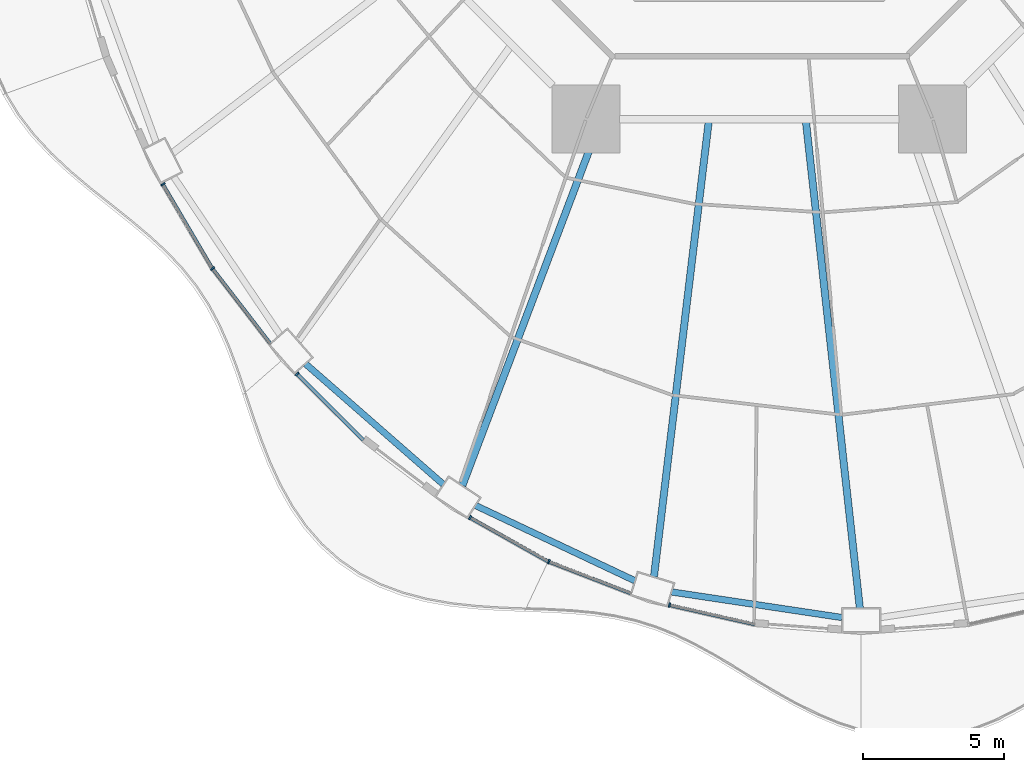
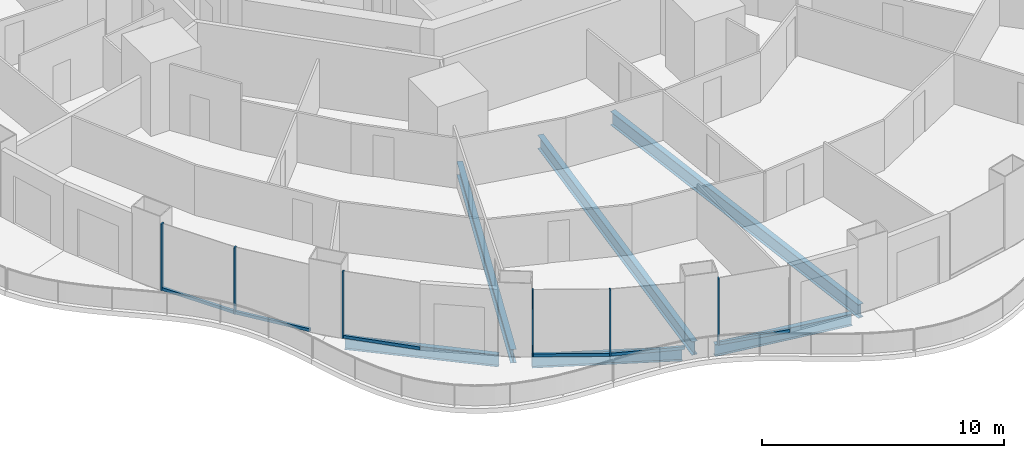
# One storey, part 2 of 22: 12 members, 6 beams, 6 elements without a shape of their own.
"""IFC4 building model written with IfcOpenShell, lengths in metres."""

from ifc_helpers import new_model, si_unit, direction, frame, origin, origin_2d, place, context, subcontext, project, spatial, rectangle, i_section, extrude, material, layer, layer_set, material_profile, profile_set, type_object, element, aggregate, save


model = new_model("IFC4")

# Units and contexts
model_context = context("Model", 3, precision=1e-05, world=origin(), true_north=direction((0.0, 1.0)))
body_context = subcontext(model_context, "Body", "Model", "MODEL_VIEW")
ifc_project = project(units=[si_unit("LENGTHUNIT", "METRE"), si_unit("AREAUNIT", "SQUARE_METRE"), si_unit("VOLUMEUNIT", "CUBIC_METRE"), si_unit("PLANEANGLEUNIT", "RADIAN"), si_unit("MASSUNIT", "GRAM", prefix="KILO")], contexts=[model_context])

# Site, building, storey
site_placement = place(None, origin())
site = spatial("IfcSite", under=ifc_project, at=site_placement, CompositionType="ELEMENT")
building_placement = place(site_placement, origin())
building = spatial("IfcBuilding", under=site, at=building_placement, Name="Nagisa Residences", CompositionType="ELEMENT")
storey_placement = place(building_placement, frame((0.0, 0.0, 64.0)))
storey = spatial("IfcBuildingStorey", under=building, at=storey_placement, Name="L15", CompositionType="ELEMENT", Elevation=64.0)

# Curtain wall, member
ifc_material_1 = material(Name="Concrete-coloured aluminium curtain wall system", Category="concrete")
ifc_layer = layer(ifc_material_1, 0.159912109375)
ifc_layer_set = layer_set([ifc_layer], Name="CW1 CURTAIN WALL")
curtain_wall_type = type_object("IfcCurtainWallType", Name="CW1 CURTAIN WALL", PredefinedType="NOTDEFINED", material=ifc_layer_set)
curtain_wall_1_placement = place(storey_placement, origin())
curtain_wall_1 = element("IfcCurtainWall", 1, at=curtain_wall_1_placement, inside=storey, type_object=curtain_wall_type, Name="cw:CW1:L15:28", PredefinedType="NOTDEFINED")
ifc_material_2 = material(Name="Concrete-coloured aluminium", Category="concrete")
ifc_material_profile_1 = material_profile(ifc_material_2, rectangle(XDim=0.159912109375, YDim=0.06005859375, at=origin_2d()), Name="CW1 MULLION 160x60")
ifc_profile_set_1 = profile_set([ifc_material_profile_1], Name="Concrete-coloured aluminium")
member_type_1 = type_object("IfcMemberType", Name="CW1 MULLION 160x60", PredefinedType="MULLION", material=ifc_profile_set_1)
member_1_placement = place(storey_placement, frame((-21.076171875, -17.089111328125, 0.0), z_axis=(0.0, 0.0, 1.0), x_axis=(0.862328898214, 0.506348567002, 0.0)))
member_1 = element("IfcMember", 2, at=member_1_placement, type_object=member_type_1, Name="CW1 mullion", PredefinedType="MULLION", context=body_context, shape_type="SweptSolid", body=[
    extrude(rectangle(XDim=0.159912109375, YDim=0.06005859375, at=origin_2d()), origin(), (0.0, 0.0, 1.0), 3.35009765625),
])

curtain_wall_2_placement = place(storey_placement, origin())
curtain_wall_2 = element("IfcCurtainWall", 3, at=curtain_wall_2_placement, inside=storey, type_object=curtain_wall_type, Name="cw:CW1:L15:29", PredefinedType="NOTDEFINED")
member_2_placement = place(storey_placement, frame((-19.32568359375, -20.06396484375, 0.0), z_axis=(0.0, 0.0, 1.0), x_axis=(0.792070340816, 0.610429828235, 0.0)))
member_2 = element("IfcMember", 4, at=member_2_placement, type_object=member_type_1, Name="CW1 mullion", PredefinedType="MULLION", context=body_context, shape_type="SweptSolid", body=[
    extrude(rectangle(XDim=0.159912109375, YDim=0.06005859375, at=origin_2d()), origin(), (0.0, 0.0, 1.0), 3.35009765625),
])

curtain_wall_3_placement = place(storey_placement, origin())
curtain_wall_3 = element("IfcCurtainWall", 5, at=curtain_wall_3_placement, inside=storey, type_object=curtain_wall_type, Name="cw:CW1:L15:30", PredefinedType="NOTDEFINED")
member_3_placement = place(storey_placement, frame((-16.332763671875, -23.79345703125, 0.0), z_axis=(0.0, 0.0, 1.0), x_axis=(0.706376885714, 0.707835924016, 0.0)))
member_3 = element("IfcMember", 6, at=member_3_placement, type_object=member_type_1, Name="CW1 mullion", PredefinedType="MULLION", context=body_context, shape_type="SweptSolid", body=[
    extrude(rectangle(XDim=0.159912109375, YDim=0.06005859375, at=origin_2d()), origin(), (0.0, 0.0, 1.0), 3.35009765625),
])

curtain_wall_4_placement = place(storey_placement, origin())
curtain_wall_4 = element("IfcCurtainWall", 7, at=curtain_wall_4_placement, inside=storey, type_object=curtain_wall_type, Name="cw:CW1:L15:32", PredefinedType="NOTDEFINED")
member_4_placement = place(storey_placement, frame((-10.22412109375, -28.8662109375, 0.0), z_axis=(0.0, 0.0, 1.0), x_axis=(0.489376918501, 0.872072377523, 0.0)))
member_4 = element("IfcMember", 8, at=member_4_placement, type_object=member_type_1, Name="CW1 mullion", PredefinedType="MULLION", context=body_context, shape_type="SweptSolid", body=[
    extrude(rectangle(XDim=0.159912109375, YDim=0.06005859375, at=origin_2d()), origin(), (0.0, 0.0, 1.0), 3.35009765625),
])

curtain_wall_5_placement = place(storey_placement, origin())
curtain_wall_5 = element("IfcCurtainWall", 9, at=curtain_wall_5_placement, inside=storey, type_object=curtain_wall_type, Name="cw:CW1:L15:33", PredefinedType="NOTDEFINED")
member_5_placement = place(storey_placement, frame((-7.44091796875, -30.42431640625, 0.0), z_axis=(0.0, 0.0, 1.0), x_axis=(0.360327770268, 0.932825759707, 0.0)))
member_5 = element("IfcMember", 10, at=member_5_placement, type_object=member_type_1, Name="CW1 mullion", PredefinedType="MULLION", context=body_context, shape_type="SweptSolid", body=[
    extrude(rectangle(XDim=0.159912109375, YDim=0.06005859375, at=origin_2d()), origin(), (0.0, 0.0, 1.0), 3.35009765625),
])

curtain_wall_6_placement = place(storey_placement, origin())
curtain_wall_6 = element("IfcCurtainWall", 11, at=curtain_wall_6_placement, inside=storey, type_object=curtain_wall_type, Name="cw:CW1:L15:34", PredefinedType="NOTDEFINED")
member_6_placement = place(storey_placement, frame((-3.176025390625, -31.958740234375, 0.0), z_axis=(0.0, 0.0, 1.0), x_axis=(0.2207639201, 0.975327274089, 0.0)))
member_6 = element("IfcMember", 12, at=member_6_placement, type_object=member_type_1, Name="CW1 mullion", PredefinedType="MULLION", context=body_context, shape_type="SweptSolid", body=[
    extrude(rectangle(XDim=0.159912109375, YDim=0.06005859375, at=origin_2d()), origin(), (0.0, 0.0, 1.0), 3.35009765625),
])

# Member
ifc_material_3 = material(Name="Concrete-coloured aluminium", Category="concrete")
ifc_material_profile_2 = material_profile(ifc_material_3, rectangle(XDim=0.1201171875, YDim=0.14990234375, at=origin_2d()), Name="CW1 TRANSOM 120x150")
ifc_profile_set_2 = profile_set([ifc_material_profile_2], Name="Concrete-coloured aluminium")
member_type_2 = type_object("IfcMemberType", Name="CW1 TRANSOM 120x150", PredefinedType="USERDEFINED", material=ifc_profile_set_2)
member_7_placement = place(storey_placement, frame((-21.09130859375, -17.063232421875, 0.074951171875), z_axis=(0.506341951316, -0.862332782827, 0.0), x_axis=(0.862332782827, 0.506341951316, 0.0)))
member_7 = element("IfcMember", 13, at=member_7_placement, type_object=member_type_2, Name="CW1 transom", ObjectType="TRANSOM", PredefinedType="USERDEFINED", context=body_context, shape_type="SweptSolid", body=[
    extrude(rectangle(XDim=0.1201171875, YDim=0.14990234375, at=origin_2d()), origin(), (0.0, 0.0, 1.0), 3.4619140625),
])

aggregate(curtain_wall_1, [member_1, member_7])

member_8_placement = place(storey_placement, frame((-19.343994140625, -20.040283203125, 0.074951171875), z_axis=(0.610457147657, -0.792049285635, 0.0), x_axis=(0.792049285635, 0.610457147657, 0.0)))
member_8 = element("IfcMember", 14, at=member_8_placement, type_object=member_type_2, Name="CW1 transom", ObjectType="TRANSOM", PredefinedType="USERDEFINED", context=body_context, shape_type="SweptSolid", body=[
    extrude(rectangle(XDim=0.1201171875, YDim=0.14990234375, at=origin_2d()), origin(), (0.0, 0.0, 1.0), 3.3974609375),
])

aggregate(curtain_wall_2, [member_2, member_8])

member_9_placement = place(storey_placement, frame((-16.35400390625, -23.7724609375, 0.074951171875), z_axis=(0.707839761606, -0.706373040177, 0.0), x_axis=(0.706373040177, 0.707839761606, 0.0)))
member_9 = element("IfcMember", 15, at=member_9_placement, type_object=member_type_2, Name="CW1 transom", ObjectType="TRANSOM", PredefinedType="USERDEFINED", context=body_context, shape_type="SweptSolid", body=[
    extrude(rectangle(XDim=0.1201171875, YDim=0.14990234375, at=origin_2d()), origin(), (0.0, 0.0, 1.0), 3.3291015625),
])

aggregate(curtain_wall_3, [member_3, member_9])

member_10_placement = place(storey_placement, frame((-10.25048828125, -28.8515625, 0.074951171875), z_axis=(0.872070011948, -0.489381133946, 0.0), x_axis=(0.489381133946, 0.872070011948, 0.0)))
member_10 = element("IfcMember", 16, at=member_10_placement, type_object=member_type_2, Name="CW1 transom", ObjectType="TRANSOM", PredefinedType="USERDEFINED", context=body_context, shape_type="SweptSolid", body=[
    extrude(rectangle(XDim=0.1201171875, YDim=0.14990234375, at=origin_2d()), origin(), (0.0, 0.0, 1.0), 3.201171875),
])

aggregate(curtain_wall_4, [member_4, member_10])

member_11_placement = place(storey_placement, frame((-7.468994140625, -30.413330078125, 0.074951171875), z_axis=(0.932835426425, -0.360302743822, 0.0), x_axis=(0.360302743822, 0.932835426425, 0.0)))
member_11 = element("IfcMember", 17, at=member_11_placement, type_object=member_type_2, Name="CW1 transom", ObjectType="TRANSOM", PredefinedType="USERDEFINED", context=body_context, shape_type="SweptSolid", body=[
    extrude(rectangle(XDim=0.1201171875, YDim=0.14990234375, at=origin_2d()), origin(), (0.0, 0.0, 1.0), 3.15087890625),
])

aggregate(curtain_wall_5, [member_5, member_11])

member_12_placement = place(storey_placement, frame((-3.205322265625, -31.9521484375, 0.074951171875), z_axis=(0.97533495413, -0.220729987208, 0.0), x_axis=(0.220729987208, 0.97533495413, 0.0)))
member_12 = element("IfcMember", 18, at=member_12_placement, type_object=member_type_2, Name="CW1 transom", ObjectType="TRANSOM", PredefinedType="USERDEFINED", context=body_context, shape_type="SweptSolid", body=[
    extrude(rectangle(XDim=0.1201171875, YDim=0.14990234375, at=origin_2d()), origin(), (0.0, 0.0, 1.0), 3.11474609375),
])

aggregate(curtain_wall_6, [member_6, member_12])

# Beams
ifc_material_4 = material(Name="Steel ASTM A572 Gr 50", Category="steel")
ifc_material_profile_3 = material_profile(ifc_material_4, i_section(OverallWidth=0.22802734375, OverallDepth=0.60302734375, WebThickness=0.010498046875, FlangeThickness=0.014892578125, at=origin_2d()), Name="W610x101")
ifc_profile_set_3 = profile_set([ifc_material_profile_3], Name="Steel ASTM A572 Gr 50")
beam_type_1 = type_object("IfcBeamType", Name="Perimeter ring beam W610x101", PredefinedType="BEAM", material=ifc_profile_set_3)
beam_1_placement = place(storey_placement, frame((-16.0361328125, -23.432861328125, -0.5615234375), z_axis=(0.752574357292, -0.658507279191, 0.0), x_axis=(0.658507279191, 0.752574357292, 0.0)))
element("IfcBeam", 19, at=beam_1_placement, inside=storey, type_object=beam_type_1, Name="beam:L15:pb16", PredefinedType="BEAM", context=body_context, shape_type="SweptSolid", body=[
    extrude(i_section(OverallWidth=0.22802734375, OverallDepth=0.60302734375, WebThickness=0.010498046875, FlangeThickness=0.014892578125, at=origin_2d()), origin(), (0.0, 0.0, 1.0), 6.47021484375),
])
beam_2_placement = place(storey_placement, frame((-10.02880859375, -28.439208984375, -0.5615234375), z_axis=(0.904208275867, -0.427091786216, 0.0), x_axis=(0.427091786216, 0.904208275867, 0.0)))
element("IfcBeam", 20, at=beam_2_placement, inside=storey, type_object=beam_type_1, Name="beam:L15:pb17", PredefinedType="BEAM", context=body_context, shape_type="SweptSolid", body=[
    extrude(i_section(OverallWidth=0.22802734375, OverallDepth=0.60302734375, WebThickness=0.010498046875, FlangeThickness=0.014892578125, at=origin_2d()), origin(), (0.0, 0.0, 1.0), 6.227294921875),
])
beam_3_placement = place(storey_placement, frame((-3.096435546875, -31.49462890625, -0.5615234375), z_axis=(0.988914559467, -0.14848566959, 0.0), x_axis=(0.14848566959, 0.988914559467, 0.0)))
element("IfcBeam", 21, at=beam_3_placement, inside=storey, type_object=beam_type_1, Name="beam:L15:pb18", PredefinedType="BEAM", context=body_context, shape_type="SweptSolid", body=[
    extrude(i_section(OverallWidth=0.22802734375, OverallDepth=0.60302734375, WebThickness=0.010498046875, FlangeThickness=0.014892578125, at=origin_2d()), origin(), (0.0, 0.0, 1.0), 6.08349609375),
])
ifc_material_5 = material(Name="Steel ASTM A572 Gr 50", Category="steel")
ifc_material_profile_4 = material_profile(ifc_material_5, i_section(OverallWidth=0.25390625, OverallDepth=0.68408203125, WebThickness=0.012451171875, FlangeThickness=0.018798828125, at=origin_2d()), Name="W690x140")
ifc_profile_set_4 = profile_set([ifc_material_profile_4], Name="Steel ASTM A572 Gr 50")
beam_type_2 = type_object("IfcBeamType", Name="Radial beam W690x140", PredefinedType="BEAM", material=ifc_profile_set_4)
beam_4_placement = place(storey_placement, frame((-10.493896484375, -27.7333984375, -0.60205078125), z_axis=(0.353887892206, 0.935287848606, 0.0), x_axis=(-0.935287848606, 0.353887892206, 0.0)))
element("IfcBeam", 22, at=beam_4_placement, inside=storey, type_object=beam_type_2, Name="beam:L15:rb17", PredefinedType="BEAM", context=body_context, shape_type="SweptSolid", body=[
    extrude(i_section(OverallWidth=0.25390625, OverallDepth=0.68408203125, WebThickness=0.012451171875, FlangeThickness=0.018798828125, at=origin_2d()), origin(), (0.0, 0.0, 1.0), 13.725830078125),
])
beam_5_placement = place(storey_placement, frame((-3.72412109375, -30.958740234375, -0.60205078125), z_axis=(0.119431411612, 0.992842453726, 0.0), x_axis=(-0.992842453726, 0.119431411612, 0.0)))
element("IfcBeam", 23, at=beam_5_placement, inside=storey, type_object=beam_type_2, Name="beam:L15:rb18", PredefinedType="BEAM", context=body_context, shape_type="SweptSolid", body=[
    extrude(i_section(OverallWidth=0.25390625, OverallDepth=0.68408203125, WebThickness=0.012451171875, FlangeThickness=0.018798828125, at=origin_2d()), origin(), (0.0, 0.0, 1.0), 16.1796875),
])
beam_6_placement = place(storey_placement, frame((3.55224609375, -32.06982421875, -0.60205078125), z_axis=(-0.110088818647, 0.993921753464, 0.0), x_axis=(-0.993921753464, -0.110088818647, 0.0)))
element("IfcBeam", 24, at=beam_6_placement, inside=storey, type_object=beam_type_2, Name="beam:L15:rb19", PredefinedType="BEAM", context=body_context, shape_type="SweptSolid", body=[
    extrude(i_section(OverallWidth=0.25390625, OverallDepth=0.68408203125, WebThickness=0.012451171875, FlangeThickness=0.018798828125, at=origin_2d()), origin(), (0.0, 0.0, 1.0), 17.280029296875),
])

save(model, "model.ifc")
